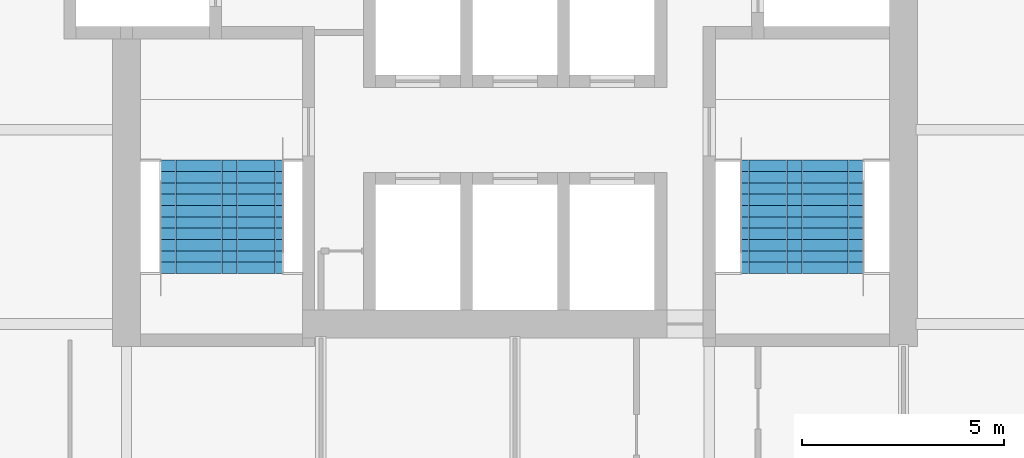
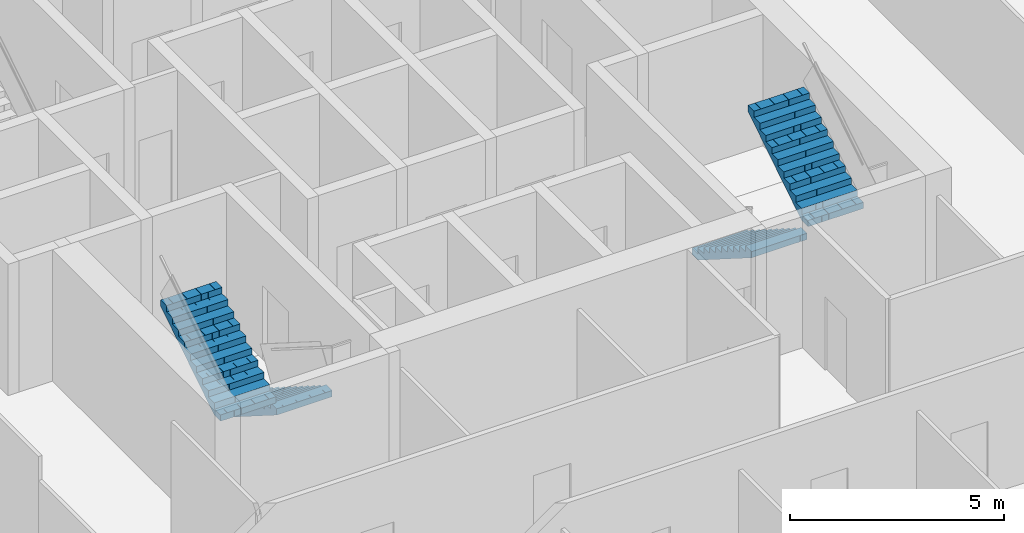
# One storey, part 12 of 15: 4 stair flights, 2 elements without a shape of their own.
"""IFC4 building model written with IfcOpenShell, lengths in metres."""

from ifc_helpers import new_model, si_unit, direction, frame, origin, place, context, subcontext, project, spatial, polyline, outline, extrude, material, type_object, element, aggregate, save


model = new_model("IFC4")

# Units and contexts
model_context = context("Model", 3, precision=1e-05, world=origin(), true_north=direction((0.0, 1.0)))
body_context = subcontext(model_context, "Body", "Model", "MODEL_VIEW")
ifc_project = project(units=[si_unit("LENGTHUNIT", "METRE"), si_unit("AREAUNIT", "SQUARE_METRE"), si_unit("VOLUMEUNIT", "CUBIC_METRE"), si_unit("PLANEANGLEUNIT", "RADIAN"), si_unit("MASSUNIT", "GRAM", prefix="KILO")], contexts=[model_context])

# Site, building, storey
site_placement = place(None, origin())
site = spatial("IfcSite", under=ifc_project, at=site_placement, CompositionType="ELEMENT")
building_placement = place(site_placement, origin())
building = spatial("IfcBuilding", under=site, at=building_placement, Name="Kolab Exchange Tower", CompositionType="ELEMENT")
storey_placement = place(building_placement, frame((0.0, 0.0, 142.699951171875)))
storey = spatial("IfcBuildingStorey", under=building, at=storey_placement, Name="L28", CompositionType="ELEMENT", Elevation=142.699951171875)

# Stair, stair flights
ifc_material = material(Name="Concrete C50/60", Category="concrete")
stair_type_1 = type_object("IfcStairType", Name="STAIR ST3 RISER 177.3", PredefinedType="HALF_TURN_STAIR", material=ifc_material)
stair_1_placement = place(storey_placement, origin())
stair_1 = element("IfcStair", 1, at=stair_1_placement, inside=storey, type_object=stair_type_1, Name="Stair 3", PredefinedType="HALF_TURN_STAIR")
stair_flight_type = type_object("IfcStairFlightType", Name="STAIR FLIGHT 1500 RISER 177.3", PredefinedType="STRAIGHT", material=ifc_material)
stair_flight_1_placement = place(storey_placement, frame((-6.489990234375, -5.550048828125, 0.0), z_axis=(0.0, 0.0, 1.0), x_axis=(0.0, -1.0, 0.0)))
stair_flight_1 = element("IfcStairFlight", 2, at=stair_flight_1_placement, type_object=stair_flight_type, Name="ST3 flight 1", NumberOfRisers=11, NumberOfTreads=10, PredefinedType="STRAIGHT", RiserHeight=0.177272727, TreadLength=0.28, context=body_context, shape_type="SweptSolid", body=[
    extrude(outline(polyline([(0.0, 0.0), (0.0, 0.17724609375), (0.280029296875, 0.17724609375), (0.280029296875, 0.3544921875), (0.56005859375, 0.3544921875), (0.56005859375, 0.53173828125), (0.840087890625, 0.53173828125), (0.840087890625, 0.708984375), (1.1201171875, 0.708984375), (1.1201171875, 0.886474609375), (1.39990234375, 0.886474609375), (1.39990234375, 1.063720703125), (1.679931640625, 1.063720703125), (1.679931640625, 1.240966796875), (1.9599609375, 1.240966796875), (1.9599609375, 1.418212890625), (2.239990234375, 1.418212890625), (2.239990234375, 1.595458984375), (2.52001953125, 1.595458984375), (2.52001953125, 1.772705078125), (2.800048828125, 1.772705078125), (2.800048828125, 1.949951171875), (2.800048828125, 1.59521484375), (0.2802734375, 0.0), (0.0, 0.0)])), frame((0.0, 0.75, 0.0), z_axis=(0.0, -1.0, 0.0), x_axis=(1.0, 0.0, 0.0)), (0.0, 0.0, 1.0), 0.185791015625),
    extrude(outline(polyline([(0.0, 0.0), (0.0, 0.17724609375), (0.280029296875, 0.17724609375), (0.280029296875, 0.3544921875), (0.56005859375, 0.3544921875), (0.56005859375, 0.53173828125), (0.840087890625, 0.53173828125), (0.840087890625, 0.708984375), (1.1201171875, 0.708984375), (1.1201171875, 0.886474609375), (1.39990234375, 0.886474609375), (1.39990234375, 1.063720703125), (1.679931640625, 1.063720703125), (1.679931640625, 1.240966796875), (1.9599609375, 1.240966796875), (1.9599609375, 1.418212890625), (2.239990234375, 1.418212890625), (2.239990234375, 1.595458984375), (2.52001953125, 1.595458984375), (2.52001953125, 1.772705078125), (2.800048828125, 1.772705078125), (2.800048828125, 1.949951171875), (2.800048828125, 1.59521484375), (0.2802734375, 0.0), (0.0, 0.0)])), frame((0.0, 0.562255859375, 0.0), z_axis=(0.0, -1.0, 0.0), x_axis=(1.0, 0.0, 0.0)), (0.0, 0.0, 1.0), 0.185791015625),
    extrude(outline(polyline([(0.0, 0.0), (0.0, 0.17724609375), (0.280029296875, 0.17724609375), (0.280029296875, 0.3544921875), (0.56005859375, 0.3544921875), (0.56005859375, 0.53173828125), (0.840087890625, 0.53173828125), (0.840087890625, 0.708984375), (1.1201171875, 0.708984375), (1.1201171875, 0.886474609375), (1.39990234375, 0.886474609375), (1.39990234375, 1.063720703125), (1.679931640625, 1.063720703125), (1.679931640625, 1.240966796875), (1.9599609375, 1.240966796875), (1.9599609375, 1.418212890625), (2.239990234375, 1.418212890625), (2.239990234375, 1.595458984375), (2.52001953125, 1.595458984375), (2.52001953125, 1.772705078125), (2.800048828125, 1.772705078125), (2.800048828125, 1.949951171875), (2.800048828125, 1.59521484375), (0.2802734375, 0.0), (0.0, 0.0)])), frame((0.0, 0.37451171875, 0.0), z_axis=(0.0, -1.0, 0.0), x_axis=(1.0, 0.0, 0.0)), (0.0, 0.0, 1.0), 0.185791015625),
    extrude(outline(polyline([(0.0, 0.0), (0.0, 0.17724609375), (0.280029296875, 0.17724609375), (0.280029296875, 0.3544921875), (0.56005859375, 0.3544921875), (0.56005859375, 0.53173828125), (0.840087890625, 0.53173828125), (0.840087890625, 0.708984375), (1.1201171875, 0.708984375), (1.1201171875, 0.886474609375), (1.39990234375, 0.886474609375), (1.39990234375, 1.063720703125), (1.679931640625, 1.063720703125), (1.679931640625, 1.240966796875), (1.9599609375, 1.240966796875), (1.9599609375, 1.418212890625), (2.239990234375, 1.418212890625), (2.239990234375, 1.595458984375), (2.52001953125, 1.595458984375), (2.52001953125, 1.772705078125), (2.800048828125, 1.772705078125), (2.800048828125, 1.949951171875), (2.800048828125, 1.59521484375), (0.2802734375, 0.0), (0.0, 0.0)])), frame((0.0, 0.186767578125, 0.0), z_axis=(0.0, -1.0, 0.0), x_axis=(1.0, 0.0, 0.0)), (0.0, 0.0, 1.0), 0.185791015625),
    extrude(outline(polyline([(0.0, 0.0), (0.0, 0.17724609375), (0.280029296875, 0.17724609375), (0.280029296875, 0.3544921875), (0.56005859375, 0.3544921875), (0.56005859375, 0.53173828125), (0.840087890625, 0.53173828125), (0.840087890625, 0.708984375), (1.1201171875, 0.708984375), (1.1201171875, 0.886474609375), (1.39990234375, 0.886474609375), (1.39990234375, 1.063720703125), (1.679931640625, 1.063720703125), (1.679931640625, 1.240966796875), (1.9599609375, 1.240966796875), (1.9599609375, 1.418212890625), (2.239990234375, 1.418212890625), (2.239990234375, 1.595458984375), (2.52001953125, 1.595458984375), (2.52001953125, 1.772705078125), (2.800048828125, 1.772705078125), (2.800048828125, 1.949951171875), (2.800048828125, 1.59521484375), (0.2802734375, 0.0), (0.0, 0.0)])), frame((0.0, -0.0009765625, 0.0), z_axis=(0.0, -1.0, 0.0), x_axis=(1.0, 0.0, 0.0)), (0.0, 0.0, 1.0), 0.185791015625),
    extrude(outline(polyline([(0.0, 0.0), (0.0, 0.17724609375), (0.280029296875, 0.17724609375), (0.280029296875, 0.3544921875), (0.56005859375, 0.3544921875), (0.56005859375, 0.53173828125), (0.840087890625, 0.53173828125), (0.840087890625, 0.708984375), (1.1201171875, 0.708984375), (1.1201171875, 0.886474609375), (1.39990234375, 0.886474609375), (1.39990234375, 1.063720703125), (1.679931640625, 1.063720703125), (1.679931640625, 1.240966796875), (1.9599609375, 1.240966796875), (1.9599609375, 1.418212890625), (2.239990234375, 1.418212890625), (2.239990234375, 1.595458984375), (2.52001953125, 1.595458984375), (2.52001953125, 1.772705078125), (2.800048828125, 1.772705078125), (2.800048828125, 1.949951171875), (2.800048828125, 1.59521484375), (0.2802734375, 0.0), (0.0, 0.0)])), frame((0.0, -0.188720703125, 0.0), z_axis=(0.0, -1.0, 0.0), x_axis=(1.0, 0.0, 0.0)), (0.0, 0.0, 1.0), 0.185791015625),
    extrude(outline(polyline([(0.0, 0.0), (0.0, 0.17724609375), (0.280029296875, 0.17724609375), (0.280029296875, 0.3544921875), (0.56005859375, 0.3544921875), (0.56005859375, 0.53173828125), (0.840087890625, 0.53173828125), (0.840087890625, 0.708984375), (1.1201171875, 0.708984375), (1.1201171875, 0.886474609375), (1.39990234375, 0.886474609375), (1.39990234375, 1.063720703125), (1.679931640625, 1.063720703125), (1.679931640625, 1.240966796875), (1.9599609375, 1.240966796875), (1.9599609375, 1.418212890625), (2.239990234375, 1.418212890625), (2.239990234375, 1.595458984375), (2.52001953125, 1.595458984375), (2.52001953125, 1.772705078125), (2.800048828125, 1.772705078125), (2.800048828125, 1.949951171875), (2.800048828125, 1.59521484375), (0.2802734375, 0.0), (0.0, 0.0)])), frame((0.0, -0.37646484375, 0.0), z_axis=(0.0, -1.0, 0.0), x_axis=(1.0, 0.0, 0.0)), (0.0, 0.0, 1.0), 0.185791015625),
    extrude(outline(polyline([(0.0, 0.0), (0.0, 0.17724609375), (0.280029296875, 0.17724609375), (0.280029296875, 0.3544921875), (0.56005859375, 0.3544921875), (0.56005859375, 0.53173828125), (0.840087890625, 0.53173828125), (0.840087890625, 0.708984375), (1.1201171875, 0.708984375), (1.1201171875, 0.886474609375), (1.39990234375, 0.886474609375), (1.39990234375, 1.063720703125), (1.679931640625, 1.063720703125), (1.679931640625, 1.240966796875), (1.9599609375, 1.240966796875), (1.9599609375, 1.418212890625), (2.239990234375, 1.418212890625), (2.239990234375, 1.595458984375), (2.52001953125, 1.595458984375), (2.52001953125, 1.772705078125), (2.800048828125, 1.772705078125), (2.800048828125, 1.949951171875), (2.800048828125, 1.59521484375), (0.2802734375, 0.0), (0.0, 0.0)])), frame((0.0, -0.564208984375, 0.0), z_axis=(0.0, -1.0, 0.0), x_axis=(1.0, 0.0, 0.0)), (0.0, 0.0, 1.0), 0.185791015625),
])
stair_flight_2_placement = place(storey_placement, frame((-8.010009765625, -8.35009765625, 1.949951171875), z_axis=(0.0, 0.0, 1.0), x_axis=(0.0, 1.0, 0.0)))
stair_flight_2 = element("IfcStairFlight", 3, at=stair_flight_2_placement, type_object=stair_flight_type, Name="ST3 flight 2", NumberOfRisers=11, NumberOfTreads=10, PredefinedType="STRAIGHT", RiserHeight=0.177272727, TreadLength=0.28, context=body_context, shape_type="SweptSolid", body=[
    extrude(outline(polyline([(0.0, 0.0), (0.0, 0.17724609375), (0.280029296875, 0.17724609375), (0.280029296875, 0.3544921875), (0.56005859375, 0.3544921875), (0.56005859375, 0.53173828125), (0.840087890625, 0.53173828125), (0.840087890625, 0.708984375), (1.1201171875, 0.708984375), (1.1201171875, 0.886474609375), (1.39990234375, 0.886474609375), (1.39990234375, 1.063720703125), (1.679931640625, 1.063720703125), (1.679931640625, 1.240966796875), (1.9599609375, 1.240966796875), (1.9599609375, 1.418212890625), (2.239990234375, 1.418212890625), (2.239990234375, 1.595458984375), (2.52001953125, 1.595458984375), (2.52001953125, 1.772705078125), (2.800048828125, 1.772705078125), (2.800048828125, 1.949951171875), (2.800048828125, 1.59521484375), (0.2802734375, 0.0), (0.0, 0.0)])), frame((0.0, 0.75, 0.0), z_axis=(0.0, -1.0, 0.0), x_axis=(1.0, 0.0, 0.0)), (0.0, 0.0, 1.0), 0.185791015625),
    extrude(outline(polyline([(0.0, 0.0), (0.0, 0.17724609375), (0.280029296875, 0.17724609375), (0.280029296875, 0.3544921875), (0.56005859375, 0.3544921875), (0.56005859375, 0.53173828125), (0.840087890625, 0.53173828125), (0.840087890625, 0.708984375), (1.1201171875, 0.708984375), (1.1201171875, 0.886474609375), (1.39990234375, 0.886474609375), (1.39990234375, 1.063720703125), (1.679931640625, 1.063720703125), (1.679931640625, 1.240966796875), (1.9599609375, 1.240966796875), (1.9599609375, 1.418212890625), (2.239990234375, 1.418212890625), (2.239990234375, 1.595458984375), (2.52001953125, 1.595458984375), (2.52001953125, 1.772705078125), (2.800048828125, 1.772705078125), (2.800048828125, 1.949951171875), (2.800048828125, 1.59521484375), (0.2802734375, 0.0), (0.0, 0.0)])), frame((0.0, 0.562255859375, 0.0), z_axis=(0.0, -1.0, 0.0), x_axis=(1.0, 0.0, 0.0)), (0.0, 0.0, 1.0), 0.185791015625),
    extrude(outline(polyline([(0.0, 0.0), (0.0, 0.17724609375), (0.280029296875, 0.17724609375), (0.280029296875, 0.3544921875), (0.56005859375, 0.3544921875), (0.56005859375, 0.53173828125), (0.840087890625, 0.53173828125), (0.840087890625, 0.708984375), (1.1201171875, 0.708984375), (1.1201171875, 0.886474609375), (1.39990234375, 0.886474609375), (1.39990234375, 1.063720703125), (1.679931640625, 1.063720703125), (1.679931640625, 1.240966796875), (1.9599609375, 1.240966796875), (1.9599609375, 1.418212890625), (2.239990234375, 1.418212890625), (2.239990234375, 1.595458984375), (2.52001953125, 1.595458984375), (2.52001953125, 1.772705078125), (2.800048828125, 1.772705078125), (2.800048828125, 1.949951171875), (2.800048828125, 1.59521484375), (0.2802734375, 0.0), (0.0, 0.0)])), frame((0.0, 0.37451171875, 0.0), z_axis=(0.0, -1.0, 0.0), x_axis=(1.0, 0.0, 0.0)), (0.0, 0.0, 1.0), 0.185791015625),
    extrude(outline(polyline([(0.0, 0.0), (0.0, 0.17724609375), (0.280029296875, 0.17724609375), (0.280029296875, 0.3544921875), (0.56005859375, 0.3544921875), (0.56005859375, 0.53173828125), (0.840087890625, 0.53173828125), (0.840087890625, 0.708984375), (1.1201171875, 0.708984375), (1.1201171875, 0.886474609375), (1.39990234375, 0.886474609375), (1.39990234375, 1.063720703125), (1.679931640625, 1.063720703125), (1.679931640625, 1.240966796875), (1.9599609375, 1.240966796875), (1.9599609375, 1.418212890625), (2.239990234375, 1.418212890625), (2.239990234375, 1.595458984375), (2.52001953125, 1.595458984375), (2.52001953125, 1.772705078125), (2.800048828125, 1.772705078125), (2.800048828125, 1.949951171875), (2.800048828125, 1.59521484375), (0.2802734375, 0.0), (0.0, 0.0)])), frame((0.0, 0.186767578125, 0.0), z_axis=(0.0, -1.0, 0.0), x_axis=(1.0, 0.0, 0.0)), (0.0, 0.0, 1.0), 0.185791015625),
    extrude(outline(polyline([(0.0, 0.0), (0.0, 0.17724609375), (0.280029296875, 0.17724609375), (0.280029296875, 0.3544921875), (0.56005859375, 0.3544921875), (0.56005859375, 0.53173828125), (0.840087890625, 0.53173828125), (0.840087890625, 0.708984375), (1.1201171875, 0.708984375), (1.1201171875, 0.886474609375), (1.39990234375, 0.886474609375), (1.39990234375, 1.063720703125), (1.679931640625, 1.063720703125), (1.679931640625, 1.240966796875), (1.9599609375, 1.240966796875), (1.9599609375, 1.418212890625), (2.239990234375, 1.418212890625), (2.239990234375, 1.595458984375), (2.52001953125, 1.595458984375), (2.52001953125, 1.772705078125), (2.800048828125, 1.772705078125), (2.800048828125, 1.949951171875), (2.800048828125, 1.59521484375), (0.2802734375, 0.0), (0.0, 0.0)])), frame((0.0, -0.0009765625, 0.0), z_axis=(0.0, -1.0, 0.0), x_axis=(1.0, 0.0, 0.0)), (0.0, 0.0, 1.0), 0.185791015625),
    extrude(outline(polyline([(0.0, 0.0), (0.0, 0.17724609375), (0.280029296875, 0.17724609375), (0.280029296875, 0.3544921875), (0.56005859375, 0.3544921875), (0.56005859375, 0.53173828125), (0.840087890625, 0.53173828125), (0.840087890625, 0.708984375), (1.1201171875, 0.708984375), (1.1201171875, 0.886474609375), (1.39990234375, 0.886474609375), (1.39990234375, 1.063720703125), (1.679931640625, 1.063720703125), (1.679931640625, 1.240966796875), (1.9599609375, 1.240966796875), (1.9599609375, 1.418212890625), (2.239990234375, 1.418212890625), (2.239990234375, 1.595458984375), (2.52001953125, 1.595458984375), (2.52001953125, 1.772705078125), (2.800048828125, 1.772705078125), (2.800048828125, 1.949951171875), (2.800048828125, 1.59521484375), (0.2802734375, 0.0), (0.0, 0.0)])), frame((0.0, -0.188720703125, 0.0), z_axis=(0.0, -1.0, 0.0), x_axis=(1.0, 0.0, 0.0)), (0.0, 0.0, 1.0), 0.185791015625),
    extrude(outline(polyline([(0.0, 0.0), (0.0, 0.17724609375), (0.280029296875, 0.17724609375), (0.280029296875, 0.3544921875), (0.56005859375, 0.3544921875), (0.56005859375, 0.53173828125), (0.840087890625, 0.53173828125), (0.840087890625, 0.708984375), (1.1201171875, 0.708984375), (1.1201171875, 0.886474609375), (1.39990234375, 0.886474609375), (1.39990234375, 1.063720703125), (1.679931640625, 1.063720703125), (1.679931640625, 1.240966796875), (1.9599609375, 1.240966796875), (1.9599609375, 1.418212890625), (2.239990234375, 1.418212890625), (2.239990234375, 1.595458984375), (2.52001953125, 1.595458984375), (2.52001953125, 1.772705078125), (2.800048828125, 1.772705078125), (2.800048828125, 1.949951171875), (2.800048828125, 1.59521484375), (0.2802734375, 0.0), (0.0, 0.0)])), frame((0.0, -0.37646484375, 0.0), z_axis=(0.0, -1.0, 0.0), x_axis=(1.0, 0.0, 0.0)), (0.0, 0.0, 1.0), 0.185791015625),
    extrude(outline(polyline([(0.0, 0.0), (0.0, 0.17724609375), (0.280029296875, 0.17724609375), (0.280029296875, 0.3544921875), (0.56005859375, 0.3544921875), (0.56005859375, 0.53173828125), (0.840087890625, 0.53173828125), (0.840087890625, 0.708984375), (1.1201171875, 0.708984375), (1.1201171875, 0.886474609375), (1.39990234375, 0.886474609375), (1.39990234375, 1.063720703125), (1.679931640625, 1.063720703125), (1.679931640625, 1.240966796875), (1.9599609375, 1.240966796875), (1.9599609375, 1.418212890625), (2.239990234375, 1.418212890625), (2.239990234375, 1.595458984375), (2.52001953125, 1.595458984375), (2.52001953125, 1.772705078125), (2.800048828125, 1.772705078125), (2.800048828125, 1.949951171875), (2.800048828125, 1.59521484375), (0.2802734375, 0.0), (0.0, 0.0)])), frame((0.0, -0.564208984375, 0.0), z_axis=(0.0, -1.0, 0.0), x_axis=(1.0, 0.0, 0.0)), (0.0, 0.0, 1.0), 0.185791015625),
])
aggregate(stair_1, [stair_flight_1, stair_flight_2])

stair_type_2 = type_object("IfcStairType", Name="STAIR ST2 RISER 177.3", PredefinedType="HALF_TURN_STAIR", material=ifc_material)
stair_2_placement = place(storey_placement, origin())
stair_2 = element("IfcStair", 4, at=stair_2_placement, inside=storey, type_object=stair_type_2, Name="Stair 2", PredefinedType="HALF_TURN_STAIR")
stair_flight_3_placement = place(storey_placement, frame((6.340087890625, -5.550048828125, 0.0), z_axis=(0.0, 0.0, 1.0), x_axis=(0.0, -1.0, 0.0)))
stair_flight_3 = element("IfcStairFlight", 5, at=stair_flight_3_placement, type_object=stair_flight_type, Name="ST2 flight 1", NumberOfRisers=11, NumberOfTreads=10, PredefinedType="STRAIGHT", RiserHeight=0.177272727, TreadLength=0.28, context=body_context, shape_type="SweptSolid", body=[
    extrude(outline(polyline([(0.0, 0.0), (0.0, 0.17724609375), (0.280029296875, 0.17724609375), (0.280029296875, 0.3544921875), (0.56005859375, 0.3544921875), (0.56005859375, 0.53173828125), (0.840087890625, 0.53173828125), (0.840087890625, 0.708984375), (1.1201171875, 0.708984375), (1.1201171875, 0.886474609375), (1.39990234375, 0.886474609375), (1.39990234375, 1.063720703125), (1.679931640625, 1.063720703125), (1.679931640625, 1.240966796875), (1.9599609375, 1.240966796875), (1.9599609375, 1.418212890625), (2.239990234375, 1.418212890625), (2.239990234375, 1.595458984375), (2.52001953125, 1.595458984375), (2.52001953125, 1.772705078125), (2.800048828125, 1.772705078125), (2.800048828125, 1.949951171875), (2.800048828125, 1.59521484375), (0.2802734375, 0.0), (0.0, 0.0)])), frame((0.0, 0.75, 0.0), z_axis=(0.0, -1.0, 0.0), x_axis=(1.0, 0.0, 0.0)), (0.0, 0.0, 1.0), 0.185791015625),
    extrude(outline(polyline([(0.0, 0.0), (0.0, 0.17724609375), (0.280029296875, 0.17724609375), (0.280029296875, 0.3544921875), (0.56005859375, 0.3544921875), (0.56005859375, 0.53173828125), (0.840087890625, 0.53173828125), (0.840087890625, 0.708984375), (1.1201171875, 0.708984375), (1.1201171875, 0.886474609375), (1.39990234375, 0.886474609375), (1.39990234375, 1.063720703125), (1.679931640625, 1.063720703125), (1.679931640625, 1.240966796875), (1.9599609375, 1.240966796875), (1.9599609375, 1.418212890625), (2.239990234375, 1.418212890625), (2.239990234375, 1.595458984375), (2.52001953125, 1.595458984375), (2.52001953125, 1.772705078125), (2.800048828125, 1.772705078125), (2.800048828125, 1.949951171875), (2.800048828125, 1.59521484375), (0.2802734375, 0.0), (0.0, 0.0)])), frame((0.0, 0.562255859375, 0.0), z_axis=(0.0, -1.0, 0.0), x_axis=(1.0, 0.0, 0.0)), (0.0, 0.0, 1.0), 0.185791015625),
    extrude(outline(polyline([(0.0, 0.0), (0.0, 0.17724609375), (0.280029296875, 0.17724609375), (0.280029296875, 0.3544921875), (0.56005859375, 0.3544921875), (0.56005859375, 0.53173828125), (0.840087890625, 0.53173828125), (0.840087890625, 0.708984375), (1.1201171875, 0.708984375), (1.1201171875, 0.886474609375), (1.39990234375, 0.886474609375), (1.39990234375, 1.063720703125), (1.679931640625, 1.063720703125), (1.679931640625, 1.240966796875), (1.9599609375, 1.240966796875), (1.9599609375, 1.418212890625), (2.239990234375, 1.418212890625), (2.239990234375, 1.595458984375), (2.52001953125, 1.595458984375), (2.52001953125, 1.772705078125), (2.800048828125, 1.772705078125), (2.800048828125, 1.949951171875), (2.800048828125, 1.59521484375), (0.2802734375, 0.0), (0.0, 0.0)])), frame((0.0, 0.37451171875, 0.0), z_axis=(0.0, -1.0, 0.0), x_axis=(1.0, 0.0, 0.0)), (0.0, 0.0, 1.0), 0.185791015625),
    extrude(outline(polyline([(0.0, 0.0), (0.0, 0.17724609375), (0.280029296875, 0.17724609375), (0.280029296875, 0.3544921875), (0.56005859375, 0.3544921875), (0.56005859375, 0.53173828125), (0.840087890625, 0.53173828125), (0.840087890625, 0.708984375), (1.1201171875, 0.708984375), (1.1201171875, 0.886474609375), (1.39990234375, 0.886474609375), (1.39990234375, 1.063720703125), (1.679931640625, 1.063720703125), (1.679931640625, 1.240966796875), (1.9599609375, 1.240966796875), (1.9599609375, 1.418212890625), (2.239990234375, 1.418212890625), (2.239990234375, 1.595458984375), (2.52001953125, 1.595458984375), (2.52001953125, 1.772705078125), (2.800048828125, 1.772705078125), (2.800048828125, 1.949951171875), (2.800048828125, 1.59521484375), (0.2802734375, 0.0), (0.0, 0.0)])), frame((0.0, 0.186767578125, 0.0), z_axis=(0.0, -1.0, 0.0), x_axis=(1.0, 0.0, 0.0)), (0.0, 0.0, 1.0), 0.185791015625),
    extrude(outline(polyline([(0.0, 0.0), (0.0, 0.17724609375), (0.280029296875, 0.17724609375), (0.280029296875, 0.3544921875), (0.56005859375, 0.3544921875), (0.56005859375, 0.53173828125), (0.840087890625, 0.53173828125), (0.840087890625, 0.708984375), (1.1201171875, 0.708984375), (1.1201171875, 0.886474609375), (1.39990234375, 0.886474609375), (1.39990234375, 1.063720703125), (1.679931640625, 1.063720703125), (1.679931640625, 1.240966796875), (1.9599609375, 1.240966796875), (1.9599609375, 1.418212890625), (2.239990234375, 1.418212890625), (2.239990234375, 1.595458984375), (2.52001953125, 1.595458984375), (2.52001953125, 1.772705078125), (2.800048828125, 1.772705078125), (2.800048828125, 1.949951171875), (2.800048828125, 1.59521484375), (0.2802734375, 0.0), (0.0, 0.0)])), frame((0.0, -0.0009765625, 0.0), z_axis=(0.0, -1.0, 0.0), x_axis=(1.0, 0.0, 0.0)), (0.0, 0.0, 1.0), 0.185791015625),
    extrude(outline(polyline([(0.0, 0.0), (0.0, 0.17724609375), (0.280029296875, 0.17724609375), (0.280029296875, 0.3544921875), (0.56005859375, 0.3544921875), (0.56005859375, 0.53173828125), (0.840087890625, 0.53173828125), (0.840087890625, 0.708984375), (1.1201171875, 0.708984375), (1.1201171875, 0.886474609375), (1.39990234375, 0.886474609375), (1.39990234375, 1.063720703125), (1.679931640625, 1.063720703125), (1.679931640625, 1.240966796875), (1.9599609375, 1.240966796875), (1.9599609375, 1.418212890625), (2.239990234375, 1.418212890625), (2.239990234375, 1.595458984375), (2.52001953125, 1.595458984375), (2.52001953125, 1.772705078125), (2.800048828125, 1.772705078125), (2.800048828125, 1.949951171875), (2.800048828125, 1.59521484375), (0.2802734375, 0.0), (0.0, 0.0)])), frame((0.0, -0.188720703125, 0.0), z_axis=(0.0, -1.0, 0.0), x_axis=(1.0, 0.0, 0.0)), (0.0, 0.0, 1.0), 0.185791015625),
    extrude(outline(polyline([(0.0, 0.0), (0.0, 0.17724609375), (0.280029296875, 0.17724609375), (0.280029296875, 0.3544921875), (0.56005859375, 0.3544921875), (0.56005859375, 0.53173828125), (0.840087890625, 0.53173828125), (0.840087890625, 0.708984375), (1.1201171875, 0.708984375), (1.1201171875, 0.886474609375), (1.39990234375, 0.886474609375), (1.39990234375, 1.063720703125), (1.679931640625, 1.063720703125), (1.679931640625, 1.240966796875), (1.9599609375, 1.240966796875), (1.9599609375, 1.418212890625), (2.239990234375, 1.418212890625), (2.239990234375, 1.595458984375), (2.52001953125, 1.595458984375), (2.52001953125, 1.772705078125), (2.800048828125, 1.772705078125), (2.800048828125, 1.949951171875), (2.800048828125, 1.59521484375), (0.2802734375, 0.0), (0.0, 0.0)])), frame((0.0, -0.37646484375, 0.0), z_axis=(0.0, -1.0, 0.0), x_axis=(1.0, 0.0, 0.0)), (0.0, 0.0, 1.0), 0.185791015625),
    extrude(outline(polyline([(0.0, 0.0), (0.0, 0.17724609375), (0.280029296875, 0.17724609375), (0.280029296875, 0.3544921875), (0.56005859375, 0.3544921875), (0.56005859375, 0.53173828125), (0.840087890625, 0.53173828125), (0.840087890625, 0.708984375), (1.1201171875, 0.708984375), (1.1201171875, 0.886474609375), (1.39990234375, 0.886474609375), (1.39990234375, 1.063720703125), (1.679931640625, 1.063720703125), (1.679931640625, 1.240966796875), (1.9599609375, 1.240966796875), (1.9599609375, 1.418212890625), (2.239990234375, 1.418212890625), (2.239990234375, 1.595458984375), (2.52001953125, 1.595458984375), (2.52001953125, 1.772705078125), (2.800048828125, 1.772705078125), (2.800048828125, 1.949951171875), (2.800048828125, 1.59521484375), (0.2802734375, 0.0), (0.0, 0.0)])), frame((0.0, -0.564208984375, 0.0), z_axis=(0.0, -1.0, 0.0), x_axis=(1.0, 0.0, 0.0)), (0.0, 0.0, 1.0), 0.185791015625),
])
stair_flight_4_placement = place(storey_placement, frame((7.860107421875, -8.35009765625, 1.949951171875), z_axis=(0.0, 0.0, 1.0), x_axis=(0.0, 1.0, 0.0)))
stair_flight_4 = element("IfcStairFlight", 6, at=stair_flight_4_placement, type_object=stair_flight_type, Name="ST2 flight 2", NumberOfRisers=11, NumberOfTreads=10, PredefinedType="STRAIGHT", RiserHeight=0.177272727, TreadLength=0.28, context=body_context, shape_type="SweptSolid", body=[
    extrude(outline(polyline([(0.0, 0.0), (0.0, 0.17724609375), (0.280029296875, 0.17724609375), (0.280029296875, 0.3544921875), (0.56005859375, 0.3544921875), (0.56005859375, 0.53173828125), (0.840087890625, 0.53173828125), (0.840087890625, 0.708984375), (1.1201171875, 0.708984375), (1.1201171875, 0.886474609375), (1.39990234375, 0.886474609375), (1.39990234375, 1.063720703125), (1.679931640625, 1.063720703125), (1.679931640625, 1.240966796875), (1.9599609375, 1.240966796875), (1.9599609375, 1.418212890625), (2.239990234375, 1.418212890625), (2.239990234375, 1.595458984375), (2.52001953125, 1.595458984375), (2.52001953125, 1.772705078125), (2.800048828125, 1.772705078125), (2.800048828125, 1.949951171875), (2.800048828125, 1.59521484375), (0.2802734375, 0.0), (0.0, 0.0)])), frame((0.0, 0.75, 0.0), z_axis=(0.0, -1.0, 0.0), x_axis=(1.0, 0.0, 0.0)), (0.0, 0.0, 1.0), 0.185791015625),
    extrude(outline(polyline([(0.0, 0.0), (0.0, 0.17724609375), (0.280029296875, 0.17724609375), (0.280029296875, 0.3544921875), (0.56005859375, 0.3544921875), (0.56005859375, 0.53173828125), (0.840087890625, 0.53173828125), (0.840087890625, 0.708984375), (1.1201171875, 0.708984375), (1.1201171875, 0.886474609375), (1.39990234375, 0.886474609375), (1.39990234375, 1.063720703125), (1.679931640625, 1.063720703125), (1.679931640625, 1.240966796875), (1.9599609375, 1.240966796875), (1.9599609375, 1.418212890625), (2.239990234375, 1.418212890625), (2.239990234375, 1.595458984375), (2.52001953125, 1.595458984375), (2.52001953125, 1.772705078125), (2.800048828125, 1.772705078125), (2.800048828125, 1.949951171875), (2.800048828125, 1.59521484375), (0.2802734375, 0.0), (0.0, 0.0)])), frame((0.0, 0.562255859375, 0.0), z_axis=(0.0, -1.0, 0.0), x_axis=(1.0, 0.0, 0.0)), (0.0, 0.0, 1.0), 0.185791015625),
    extrude(outline(polyline([(0.0, 0.0), (0.0, 0.17724609375), (0.280029296875, 0.17724609375), (0.280029296875, 0.3544921875), (0.56005859375, 0.3544921875), (0.56005859375, 0.53173828125), (0.840087890625, 0.53173828125), (0.840087890625, 0.708984375), (1.1201171875, 0.708984375), (1.1201171875, 0.886474609375), (1.39990234375, 0.886474609375), (1.39990234375, 1.063720703125), (1.679931640625, 1.063720703125), (1.679931640625, 1.240966796875), (1.9599609375, 1.240966796875), (1.9599609375, 1.418212890625), (2.239990234375, 1.418212890625), (2.239990234375, 1.595458984375), (2.52001953125, 1.595458984375), (2.52001953125, 1.772705078125), (2.800048828125, 1.772705078125), (2.800048828125, 1.949951171875), (2.800048828125, 1.59521484375), (0.2802734375, 0.0), (0.0, 0.0)])), frame((0.0, 0.37451171875, 0.0), z_axis=(0.0, -1.0, 0.0), x_axis=(1.0, 0.0, 0.0)), (0.0, 0.0, 1.0), 0.185791015625),
    extrude(outline(polyline([(0.0, 0.0), (0.0, 0.17724609375), (0.280029296875, 0.17724609375), (0.280029296875, 0.3544921875), (0.56005859375, 0.3544921875), (0.56005859375, 0.53173828125), (0.840087890625, 0.53173828125), (0.840087890625, 0.708984375), (1.1201171875, 0.708984375), (1.1201171875, 0.886474609375), (1.39990234375, 0.886474609375), (1.39990234375, 1.063720703125), (1.679931640625, 1.063720703125), (1.679931640625, 1.240966796875), (1.9599609375, 1.240966796875), (1.9599609375, 1.418212890625), (2.239990234375, 1.418212890625), (2.239990234375, 1.595458984375), (2.52001953125, 1.595458984375), (2.52001953125, 1.772705078125), (2.800048828125, 1.772705078125), (2.800048828125, 1.949951171875), (2.800048828125, 1.59521484375), (0.2802734375, 0.0), (0.0, 0.0)])), frame((0.0, 0.186767578125, 0.0), z_axis=(0.0, -1.0, 0.0), x_axis=(1.0, 0.0, 0.0)), (0.0, 0.0, 1.0), 0.185791015625),
    extrude(outline(polyline([(0.0, 0.0), (0.0, 0.17724609375), (0.280029296875, 0.17724609375), (0.280029296875, 0.3544921875), (0.56005859375, 0.3544921875), (0.56005859375, 0.53173828125), (0.840087890625, 0.53173828125), (0.840087890625, 0.708984375), (1.1201171875, 0.708984375), (1.1201171875, 0.886474609375), (1.39990234375, 0.886474609375), (1.39990234375, 1.063720703125), (1.679931640625, 1.063720703125), (1.679931640625, 1.240966796875), (1.9599609375, 1.240966796875), (1.9599609375, 1.418212890625), (2.239990234375, 1.418212890625), (2.239990234375, 1.595458984375), (2.52001953125, 1.595458984375), (2.52001953125, 1.772705078125), (2.800048828125, 1.772705078125), (2.800048828125, 1.949951171875), (2.800048828125, 1.59521484375), (0.2802734375, 0.0), (0.0, 0.0)])), frame((0.0, -0.0009765625, 0.0), z_axis=(0.0, -1.0, 0.0), x_axis=(1.0, 0.0, 0.0)), (0.0, 0.0, 1.0), 0.185791015625),
    extrude(outline(polyline([(0.0, 0.0), (0.0, 0.17724609375), (0.280029296875, 0.17724609375), (0.280029296875, 0.3544921875), (0.56005859375, 0.3544921875), (0.56005859375, 0.53173828125), (0.840087890625, 0.53173828125), (0.840087890625, 0.708984375), (1.1201171875, 0.708984375), (1.1201171875, 0.886474609375), (1.39990234375, 0.886474609375), (1.39990234375, 1.063720703125), (1.679931640625, 1.063720703125), (1.679931640625, 1.240966796875), (1.9599609375, 1.240966796875), (1.9599609375, 1.418212890625), (2.239990234375, 1.418212890625), (2.239990234375, 1.595458984375), (2.52001953125, 1.595458984375), (2.52001953125, 1.772705078125), (2.800048828125, 1.772705078125), (2.800048828125, 1.949951171875), (2.800048828125, 1.59521484375), (0.2802734375, 0.0), (0.0, 0.0)])), frame((0.0, -0.188720703125, 0.0), z_axis=(0.0, -1.0, 0.0), x_axis=(1.0, 0.0, 0.0)), (0.0, 0.0, 1.0), 0.185791015625),
    extrude(outline(polyline([(0.0, 0.0), (0.0, 0.17724609375), (0.280029296875, 0.17724609375), (0.280029296875, 0.3544921875), (0.56005859375, 0.3544921875), (0.56005859375, 0.53173828125), (0.840087890625, 0.53173828125), (0.840087890625, 0.708984375), (1.1201171875, 0.708984375), (1.1201171875, 0.886474609375), (1.39990234375, 0.886474609375), (1.39990234375, 1.063720703125), (1.679931640625, 1.063720703125), (1.679931640625, 1.240966796875), (1.9599609375, 1.240966796875), (1.9599609375, 1.418212890625), (2.239990234375, 1.418212890625), (2.239990234375, 1.595458984375), (2.52001953125, 1.595458984375), (2.52001953125, 1.772705078125), (2.800048828125, 1.772705078125), (2.800048828125, 1.949951171875), (2.800048828125, 1.59521484375), (0.2802734375, 0.0), (0.0, 0.0)])), frame((0.0, -0.37646484375, 0.0), z_axis=(0.0, -1.0, 0.0), x_axis=(1.0, 0.0, 0.0)), (0.0, 0.0, 1.0), 0.185791015625),
    extrude(outline(polyline([(0.0, 0.0), (0.0, 0.17724609375), (0.280029296875, 0.17724609375), (0.280029296875, 0.3544921875), (0.56005859375, 0.3544921875), (0.56005859375, 0.53173828125), (0.840087890625, 0.53173828125), (0.840087890625, 0.708984375), (1.1201171875, 0.708984375), (1.1201171875, 0.886474609375), (1.39990234375, 0.886474609375), (1.39990234375, 1.063720703125), (1.679931640625, 1.063720703125), (1.679931640625, 1.240966796875), (1.9599609375, 1.240966796875), (1.9599609375, 1.418212890625), (2.239990234375, 1.418212890625), (2.239990234375, 1.595458984375), (2.52001953125, 1.595458984375), (2.52001953125, 1.772705078125), (2.800048828125, 1.772705078125), (2.800048828125, 1.949951171875), (2.800048828125, 1.59521484375), (0.2802734375, 0.0), (0.0, 0.0)])), frame((0.0, -0.564208984375, 0.0), z_axis=(0.0, -1.0, 0.0), x_axis=(1.0, 0.0, 0.0)), (0.0, 0.0, 1.0), 0.185791015625),
])
aggregate(stair_2, [stair_flight_3, stair_flight_4])

save(model, "model.ifc")
